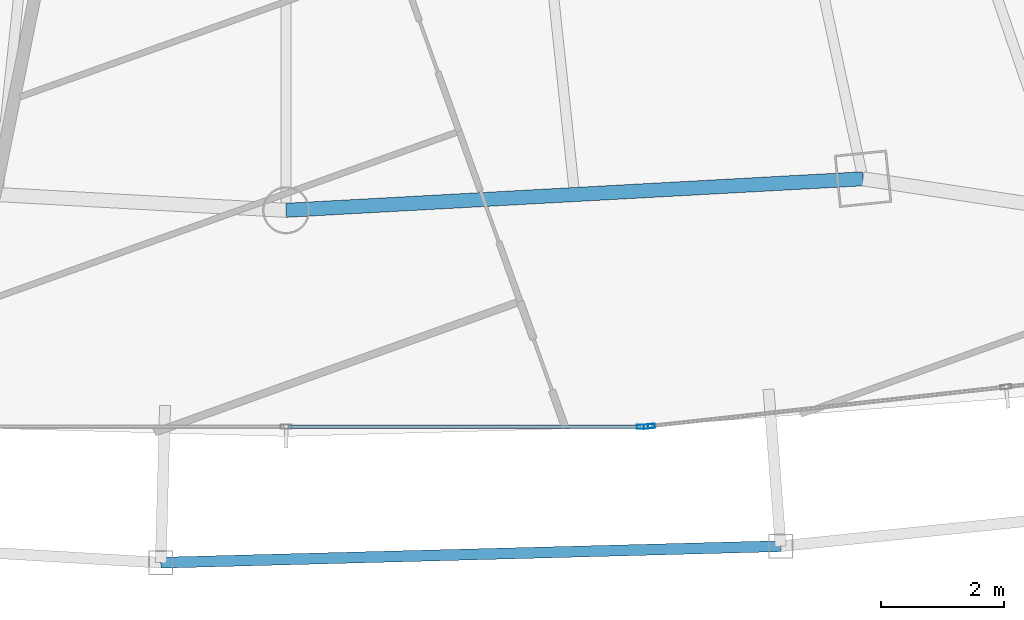
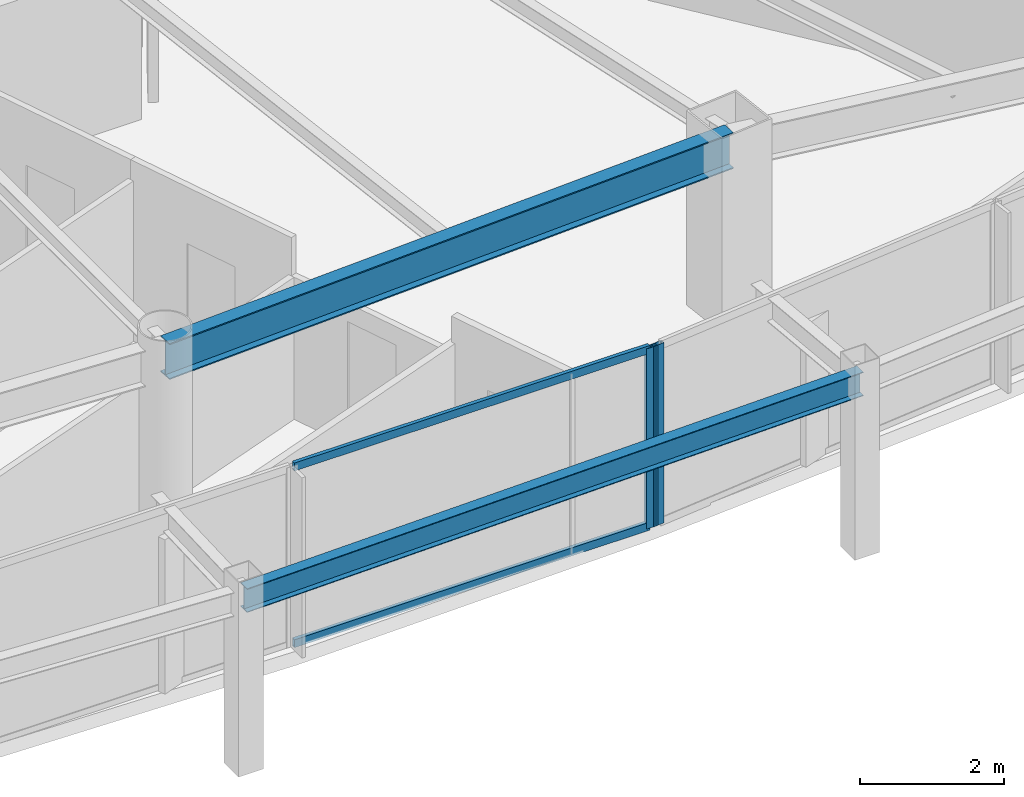
# One storey, part 8 of 30: 4 members, 2 beams, 2 elements without a shape of their own.
"""IFC4 building model written with IfcOpenShell, lengths in metres."""

from ifc_helpers import new_model, si_unit, direction, frame, origin, origin_2d, place, context, subcontext, project, spatial, hollow_rectangle, i_section, extrude, material, layer, layer_set, material_profile, profile_set, type_object, element, aggregate, save


model = new_model("IFC4")

# Units and contexts
model_context = context("Model", 3, precision=1e-05, world=origin(), true_north=direction((0.0, 1.0)))
body_context = subcontext(model_context, "Body", "Model", "MODEL_VIEW")
ifc_project = project(units=[si_unit("LENGTHUNIT", "METRE"), si_unit("AREAUNIT", "SQUARE_METRE"), si_unit("VOLUMEUNIT", "CUBIC_METRE"), si_unit("PLANEANGLEUNIT", "RADIAN"), si_unit("MASSUNIT", "GRAM", prefix="KILO")], contexts=[model_context])

# Site, building, storey
site_placement = place(None, origin())
site = spatial("IfcSite", under=ifc_project, at=site_placement, CompositionType="ELEMENT")
building_placement = place(site_placement, origin())
building = spatial("IfcBuilding", under=site, at=building_placement, Name="Orvanel Arch Residences", CompositionType="ELEMENT")
storey_placement = place(building_placement, frame((0.0, 0.0, 136.39990234375)))
storey = spatial("IfcBuildingStorey", under=building, at=storey_placement, Name="L38", CompositionType="ELEMENT", Elevation=136.39990234375)

# Curtain wall, member
ifc_material_1 = material(Name="Bronze-anodised aluminium AA6063-T6", Category="aluminium")
ifc_layer = layer(ifc_material_1, 0.179931640625)
ifc_layer_set = layer_set([ifc_layer], Name="Bronze-anodised aluminium AA6063-T6")
curtain_wall_type = type_object("IfcCurtainWallType", Name="CW3-MID-SYS", PredefinedType="NOTDEFINED", material=ifc_layer_set)
curtain_wall_1_placement = place(storey_placement, origin())
curtain_wall_1 = element("IfcCurtainWall", 1, at=curtain_wall_1_placement, inside=storey, type_object=curtain_wall_type, Name="L38 CW3-MID-SYS Unitised Curtain Wall", PredefinedType="NOTDEFINED")
ifc_material_profile_1 = material_profile(ifc_material_1, hollow_rectangle(XDim=0.070068359375, YDim=0.179931640625, WallThickness=0.00439453125, at=origin_2d()), Name="ALU180x70x4.5")
ifc_profile_set_1 = profile_set([ifc_material_profile_1], Name="Bronze-anodised aluminium AA6063-T6")
member_type_1 = type_object("IfcMemberType", Name="MUL-180x70", PredefinedType="MULLION", material=ifc_profile_set_1)
member_1_placement = place(storey_placement, frame((38.77587890625, 3.3369140625, 0.0), z_axis=(0.0, 0.0, 1.0), x_axis=(0.0, 1.0, 0.0)))
member_1 = element("IfcMember", 2, at=member_1_placement, type_object=member_type_1, Name="CW-S3 mullion 3", PredefinedType="MULLION", context=body_context, shape_type="SweptSolid", body=[
    extrude(hollow_rectangle(XDim=0.070068359375, YDim=0.179931640625, WallThickness=0.00439453125, at=origin_2d()), origin(), (0.0, 0.0, 1.0), 3.06005859375),
])

curtain_wall_2_placement = place(storey_placement, origin())
curtain_wall_2 = element("IfcCurtainWall", 3, at=curtain_wall_2_placement, inside=storey, type_object=curtain_wall_type, Name="L38 CW3-MID-SYS Unitised Curtain Wall", PredefinedType="NOTDEFINED")
member_2_placement = place(storey_placement, frame((38.8857421875, 3.3427734375, 0.0), z_axis=(0.0, 0.0, 1.0), x_axis=(-0.109856452012, 0.993947463376, 0.0)))
member_2 = element("IfcMember", 4, at=member_2_placement, type_object=member_type_1, Name="CW-S3 mullion 1", PredefinedType="MULLION", context=body_context, shape_type="SweptSolid", body=[
    extrude(hollow_rectangle(XDim=0.070068359375, YDim=0.179931640625, WallThickness=0.00439453125, at=origin_2d()), origin(), (0.0, 0.0, 1.0), 3.06005859375),
])
aggregate(curtain_wall_2, [member_2])

# Beams
ifc_material_2 = material(Name="Structural steel AS/NZS 3679.1 Grade 300 (300 MPa)", Category="steel")
ifc_material_profile_2 = material_profile(ifc_material_2, i_section(OverallWidth=0.177978515625, OverallDepth=0.406005859375, WebThickness=0.0078125, FlangeThickness=0.0126953125, at=origin_2d()), Name="410UB59.7")
ifc_profile_set_2 = profile_set([ifc_material_profile_2], Name="Structural steel AS/NZS 3679.1 Grade 300 (300 MPa)")
beam_type_1 = type_object("IfcBeamType", Name="OB-410UB-EXT", PredefinedType="SPANDREL", material=ifc_profile_set_2)
beam_1_placement = place(storey_placement, frame((30.967041015625, 1.132080078125, 2.857177734375), z_axis=(0.999645039407, 0.026641981687, 0.0), x_axis=(-0.026641981687, 0.999645039407, 0.0)))
element("IfcBeam", 5, at=beam_1_placement, inside=storey, type_object=beam_type_1, Name="L38 Outer Perimeter Floor Ring Beam 06", PredefinedType="SPANDREL", context=body_context, shape_type="SweptSolid", body=[
    extrude(i_section(OverallWidth=0.177978515625, OverallDepth=0.406005859375, WebThickness=0.0078125, FlangeThickness=0.0126953125, at=origin_2d()), origin(), (0.0, 0.0, 1.0), 10.052734375),
])
ifc_material_profile_3 = material_profile(ifc_material_2, i_section(OverallWidth=0.22900390625, OverallDepth=0.612060546875, WebThickness=0.011962890625, FlangeThickness=0.01953125, at=origin_2d()), Name="610UB125")
ifc_profile_set_3 = profile_set([ifc_material_profile_3], Name="Structural steel AS/NZS 3679.1 Grade 300 (300 MPa)")
beam_type_2 = type_object("IfcBeamType", Name="SP-610UB", PredefinedType="SPANDREL", material=ifc_profile_set_3)
beam_2_placement = place(storey_placement, frame((33.0, 6.843994140625, 2.754150390625), z_axis=(0.998510315598, 0.054563262768, 0.0), x_axis=(-0.054563262768, 0.998510315598, 0.0)))
element("IfcBeam", 6, at=beam_2_placement, inside=storey, type_object=beam_type_2, Name="L38 Perimeter Spandrel Beam 06", PredefinedType="SPANDREL", context=body_context, shape_type="SweptSolid", body=[
    extrude(i_section(OverallWidth=0.22900390625, OverallDepth=0.612060546875, WebThickness=0.011962890625, FlangeThickness=0.01953125, at=origin_2d()), origin(), (0.0, 0.0, 1.0), 9.364990234375),
])

# Member
ifc_material_profile_4 = material_profile(ifc_material_1, hollow_rectangle(XDim=0.06005859375, YDim=0.135009765625, WallThickness=0.00390625, at=origin_2d()), Name="ALU135x60x4")
ifc_profile_set_4 = profile_set([ifc_material_profile_4], Name="Bronze-anodised aluminium AA6063-T6")
member_type_2 = type_object("IfcMemberType", Name="TRN-135x60", PredefinedType="USERDEFINED", material=ifc_profile_set_4)
member_3_placement = place(storey_placement, frame((33.034912109375, 3.3369140625, 0.030029296875), z_axis=(1.0, 0.0, 0.0), x_axis=(0.0, 1.0, 0.0)))
member_3 = element("IfcMember", 7, at=member_3_placement, type_object=member_type_2, Name="CW-S3 transom 2.1", ObjectType="TRANSOM", PredefinedType="USERDEFINED", context=body_context, shape_type="SweptSolid", body=[
    extrude(hollow_rectangle(XDim=0.06005859375, YDim=0.135009765625, WallThickness=0.00390625, at=origin_2d()), origin(), (0.0, 0.0, 1.0), 5.7060546875),
])

member_4_placement = place(storey_placement, frame((33.034912109375, 3.3369140625, 3.030029296875), z_axis=(1.0, 0.0, 0.0), x_axis=(0.0, 1.0, 0.0)))
member_4 = element("IfcMember", 8, at=member_4_placement, type_object=member_type_2, Name="CW-S3 transom 2.2", ObjectType="TRANSOM", PredefinedType="USERDEFINED", context=body_context, shape_type="SweptSolid", body=[
    extrude(hollow_rectangle(XDim=0.06005859375, YDim=0.135009765625, WallThickness=0.00390625, at=origin_2d()), origin(), (0.0, 0.0, 1.0), 5.7060546875),
])

aggregate(curtain_wall_1, [member_1, member_3, member_4])

save(model, "model.ifc")
